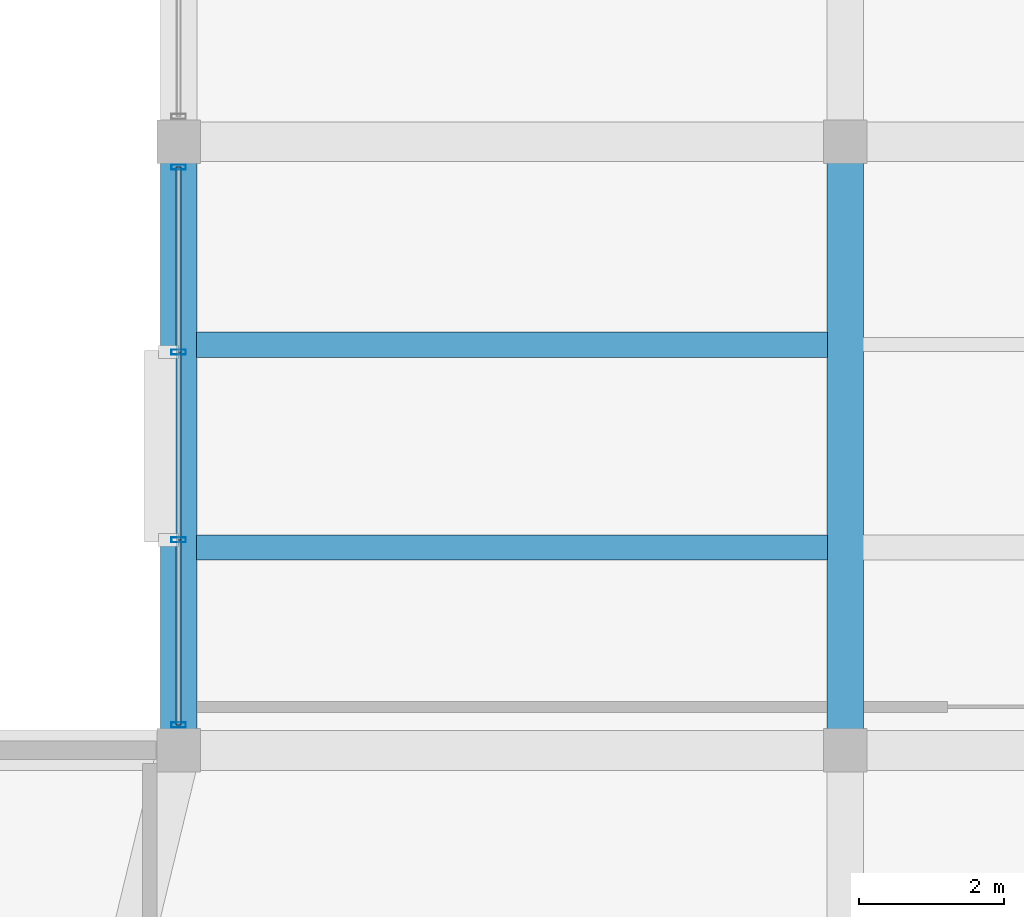
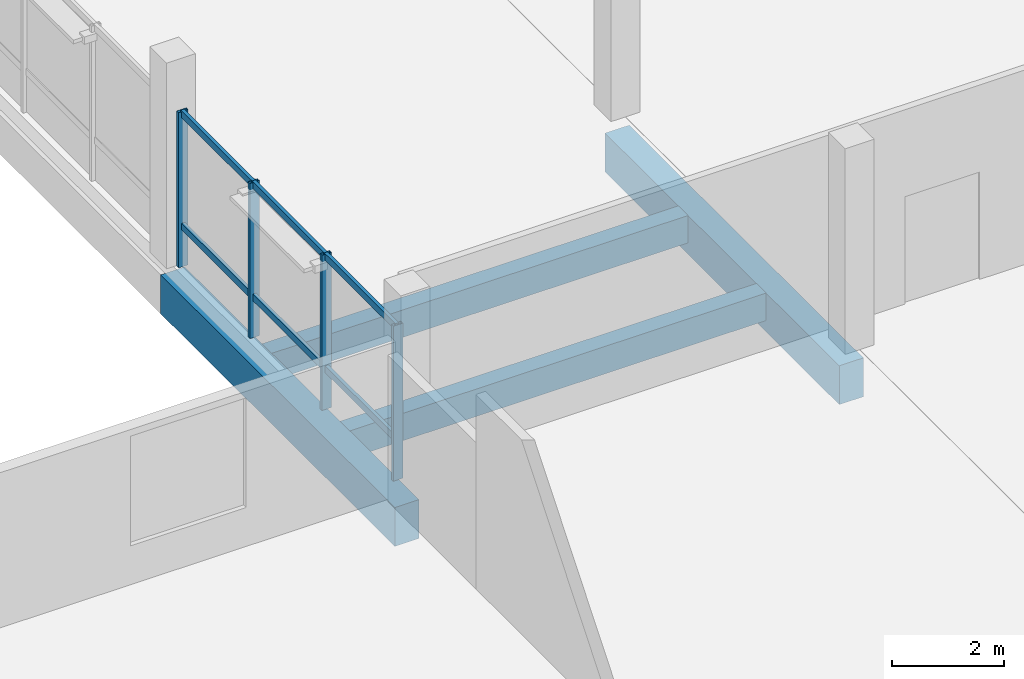
# One storey, part 43 of 77: 10 members, 4 beams, 1 element without a shape of its own.
"""IFC4 building model written with IfcOpenShell, lengths in metres."""

from ifc_helpers import new_model, si_unit, direction, frame, origin, origin_2d, place, context, subcontext, project, spatial, rectangle, hollow_rectangle, extrude, material, layer, layer_set, material_profile, profile_set, type_object, element, aggregate, save


model = new_model("IFC4")

# Units and contexts
model_context = context("Model", 3, precision=1e-05, world=origin(), true_north=direction((0.0, 1.0)))
body_context = subcontext(model_context, "Body", "Model", "MODEL_VIEW")
ifc_project = project(units=[si_unit("LENGTHUNIT", "METRE"), si_unit("AREAUNIT", "SQUARE_METRE"), si_unit("VOLUMEUNIT", "CUBIC_METRE"), si_unit("PLANEANGLEUNIT", "RADIAN"), si_unit("MASSUNIT", "GRAM", prefix="KILO")], contexts=[model_context])

# Site, building, storey
site_placement = place(None, origin())
site = spatial("IfcSite", under=ifc_project, at=site_placement, CompositionType="ELEMENT")
building_placement = place(site_placement, origin())
building = spatial("IfcBuilding", under=site, at=building_placement, Name="Meriwether Solvik Hall", CompositionType="ELEMENT")
storey_placement = place(building_placement, frame((0.0, 0.0, 9.89990234375)))
storey = spatial("IfcBuildingStorey", under=building, at=storey_placement, Name="L02", CompositionType="ELEMENT", Elevation=9.89990234375)

# Beams
ifc_material_1 = material(Name="Concrete C40/50", Category="concrete")
ifc_material_profile_1 = material_profile(ifc_material_1, rectangle(XDim=0.35009765625, YDim=0.60009765625, at=origin_2d()), Name="RCB-350X600")
ifc_profile_set_1 = profile_set([ifc_material_profile_1], Name="Concrete C40/50")
beam_type_1 = type_object("IfcBeamType", Name="BM-RC-350X600", PredefinedType="JOIST", material=ifc_profile_set_1)
for number, where, z_axis, x_axis, name in (
    (1, (105.2451171875, 95.60009765625, -0.75), (1.0, 0.0, 0.0), (0.0, 1.0, 0.0), "Secondary Floor Joist 12/K_J1 (L02)"),
    (2, (105.2451171875, 98.39990234375, -0.75), (1.0, 0.0, 0.0), (0.0, 1.0, 0.0), "Secondary Floor Joist 12/K_J2 (L02)"),
):
    element("IfcBeam", number, at=place(storey_placement, frame(where, z_axis=z_axis, x_axis=x_axis)), inside=storey, type_object=beam_type_1, Name=name, PredefinedType="JOIST", context=body_context, shape_type="SweptSolid", body=[
        extrude(rectangle(XDim=0.35009765625, YDim=0.60009765625, at=origin_2d()), origin(), (0.0, 0.0, 1.0), 8.7099609375),
    ])
ifc_material_2 = material(Name="Concrete C40/50", Category="concrete")
ifc_material_profile_2 = material_profile(ifc_material_2, rectangle(XDim=0.5, YDim=0.85009765625, at=origin_2d()), Name="RCB-500X850")
ifc_profile_set_2 = profile_set([ifc_material_profile_2], Name="Concrete C40/50")
beam_type_2 = type_object("IfcBeamType", Name="BM-RC-500X850", PredefinedType="BEAM", material=ifc_profile_set_2)
for number, where, z_axis, x_axis, name in (
    (3, (105.0, 92.800048828125, -0.7548828125), (0.0, 1.0, 0.0), (-1.0, 0.0, 0.0), "Podium Girder 12:K-L (L02)"),
    (4, (114.199951171875, 92.800048828125, -0.875), (0.0, 1.0, 0.0), (-1.0, 0.0, 0.0), "Podium Girder 13:K-L (L02)"),
):
    element("IfcBeam", number, at=place(storey_placement, frame(where, z_axis=z_axis, x_axis=x_axis)), inside=storey, type_object=beam_type_2, Name=name, PredefinedType="BEAM", context=body_context, shape_type="SweptSolid", body=[
        extrude(rectangle(XDim=0.5, YDim=0.85009765625, at=origin_2d()), origin(), (0.0, 0.0, 1.0), 8.39990234375),
    ])

# Curtain wall, members
ifc_material_3 = material(Name="Thermally Broken Anodised Aluminium 6063-T6 and Low-E Glass", Category="aluminium")
ifc_layer = layer(ifc_material_3, 0.179931640625)
ifc_layer_set = layer_set([ifc_layer], Name="Thermally Broken Anodised Aluminium 6063-T6 and Low-E Glass")
curtain_wall_type = type_object("IfcCurtainWallType", Name="CW-SF-POD-C", PredefinedType="USERDEFINED", material=ifc_layer_set)
curtain_wall_placement = place(storey_placement, origin())
curtain_wall = element("IfcCurtainWall", 5, at=curtain_wall_placement, inside=storey, type_object=curtain_wall_type, Name="Curtain Wall wing_Y12_11_34 (L02)", ObjectType="STICK STOREFRONT GLAZING", PredefinedType="USERDEFINED")
ifc_material_4 = material(Name="Anodised Aluminium 6063-T6", Category="aluminium")
ifc_material_profile_3 = material_profile(ifc_material_4, hollow_rectangle(XDim=0.070068359375, YDim=0.199951171875, WallThickness=0.0048828125, at=origin_2d()), Name="CWM-70X200")
ifc_profile_set_3 = profile_set([ifc_material_profile_3], Name="Anodised Aluminium 6063-T6")
member_type_1 = type_object("IfcMemberType", Name="CW-MUL-70X200", PredefinedType="MULLION", material=ifc_profile_set_3)
member_1_placement = place(storey_placement, frame((105.0, 93.14990234375, 0.0), z_axis=(0.0, 0.0, 1.0), x_axis=(0.0, 1.0, 0.0)))
member_1 = element("IfcMember", 6, at=member_1_placement, type_object=member_type_1, Name="Curtain Wall Mullion 1", PredefinedType="MULLION", context=body_context, shape_type="SweptSolid", body=[
    extrude(hollow_rectangle(XDim=0.070068359375, YDim=0.199951171875, WallThickness=0.0048828125, at=origin_2d()), origin(), (0.0, 0.0, 1.0), 3.39501953125),
])
member_2_placement = place(storey_placement, frame((105.0, 95.7041015625, 0.0), z_axis=(0.0, 0.0, 1.0), x_axis=(0.0, 1.0, 0.0)))
member_2 = element("IfcMember", 7, at=member_2_placement, type_object=member_type_1, Name="Curtain Wall Mullion 2", PredefinedType="MULLION", context=body_context, shape_type="SweptSolid", body=[
    extrude(hollow_rectangle(XDim=0.070068359375, YDim=0.199951171875, WallThickness=0.0048828125, at=origin_2d()), origin(), (0.0, 0.0, 1.0), 3.39501953125),
])
member_3_placement = place(storey_placement, frame((105.0, 98.2958984375, 0.0), z_axis=(0.0, 0.0, 1.0), x_axis=(0.0, 1.0, 0.0)))
member_3 = element("IfcMember", 8, at=member_3_placement, type_object=member_type_1, Name="Curtain Wall Mullion 3", PredefinedType="MULLION", context=body_context, shape_type="SweptSolid", body=[
    extrude(hollow_rectangle(XDim=0.070068359375, YDim=0.199951171875, WallThickness=0.0048828125, at=origin_2d()), origin(), (0.0, 0.0, 1.0), 3.39501953125),
])
member_4_placement = place(storey_placement, frame((105.0, 100.85009765625, 0.0), z_axis=(0.0, 0.0, 1.0), x_axis=(0.0, 1.0, 0.0)))
member_4 = element("IfcMember", 9, at=member_4_placement, type_object=member_type_1, Name="Curtain Wall Mullion 4", PredefinedType="MULLION", context=body_context, shape_type="SweptSolid", body=[
    extrude(hollow_rectangle(XDim=0.070068359375, YDim=0.199951171875, WallThickness=0.0048828125, at=origin_2d()), origin(), (0.0, 0.0, 1.0), 3.39501953125),
])
ifc_material_5 = material(Name="Anodised Aluminium 6063-T6", Category="aluminium")
ifc_material_profile_4 = material_profile(ifc_material_5, hollow_rectangle(XDim=0.070068359375, YDim=0.14990234375, WallThickness=0.0048828125, at=origin_2d()), Name="CWT-70X150")
ifc_profile_set_4 = profile_set([ifc_material_profile_4], Name="Anodised Aluminium 6063-T6")
member_type_2 = type_object("IfcMemberType", Name="CW-TRN-70X150", PredefinedType="USERDEFINED", material=ifc_profile_set_4)
member_5_placement = place(storey_placement, frame((105.0, 93.14990234375, 0.880126953125), z_axis=(0.0, 1.0, 0.0), x_axis=(-1.0, 0.0, 0.0)))
member_5 = element("IfcMember", 10, at=member_5_placement, type_object=member_type_2, Name="Curtain Wall Transom 1-sill", ObjectType="TRANSOM", PredefinedType="USERDEFINED", context=body_context, shape_type="SweptSolid", body=[
    extrude(hollow_rectangle(XDim=0.070068359375, YDim=0.14990234375, WallThickness=0.0048828125, at=origin_2d()), origin(), (0.0, 0.0, 1.0), 2.55419921875),
])
member_6_placement = place(storey_placement, frame((105.0, 93.14990234375, 3.335205078125), z_axis=(0.0, 1.0, 0.0), x_axis=(-1.0, 0.0, 0.0)))
member_6 = element("IfcMember", 11, at=member_6_placement, type_object=member_type_2, Name="Curtain Wall Transom 1-head", ObjectType="TRANSOM", PredefinedType="USERDEFINED", context=body_context, shape_type="SweptSolid", body=[
    extrude(hollow_rectangle(XDim=0.070068359375, YDim=0.14990234375, WallThickness=0.0048828125, at=origin_2d()), origin(), (0.0, 0.0, 1.0), 2.55419921875),
])
member_7_placement = place(storey_placement, frame((105.0, 95.7041015625, 0.880126953125), z_axis=(0.0, 1.0, 0.0), x_axis=(-1.0, 0.0, 0.0)))
member_7 = element("IfcMember", 12, at=member_7_placement, type_object=member_type_2, Name="Curtain Wall Transom 2-sill", ObjectType="TRANSOM", PredefinedType="USERDEFINED", context=body_context, shape_type="SweptSolid", body=[
    extrude(hollow_rectangle(XDim=0.070068359375, YDim=0.14990234375, WallThickness=0.0048828125, at=origin_2d()), origin(), (0.0, 0.0, 1.0), 2.591796875),
])
member_8_placement = place(storey_placement, frame((105.0, 95.7041015625, 3.335205078125), z_axis=(0.0, 1.0, 0.0), x_axis=(-1.0, 0.0, 0.0)))
member_8 = element("IfcMember", 13, at=member_8_placement, type_object=member_type_2, Name="Curtain Wall Transom 2-head", ObjectType="TRANSOM", PredefinedType="USERDEFINED", context=body_context, shape_type="SweptSolid", body=[
    extrude(hollow_rectangle(XDim=0.070068359375, YDim=0.14990234375, WallThickness=0.0048828125, at=origin_2d()), origin(), (0.0, 0.0, 1.0), 2.591796875),
])
member_9_placement = place(storey_placement, frame((105.0, 98.2958984375, 0.880126953125), z_axis=(0.0, 1.0, 0.0), x_axis=(-1.0, 0.0, 0.0)))
member_9 = element("IfcMember", 14, at=member_9_placement, type_object=member_type_2, Name="Curtain Wall Transom 3-sill", ObjectType="TRANSOM", PredefinedType="USERDEFINED", context=body_context, shape_type="SweptSolid", body=[
    extrude(hollow_rectangle(XDim=0.070068359375, YDim=0.14990234375, WallThickness=0.0048828125, at=origin_2d()), origin(), (0.0, 0.0, 1.0), 2.55419921875),
])
member_10_placement = place(storey_placement, frame((105.0, 98.2958984375, 3.335205078125), z_axis=(0.0, 1.0, 0.0), x_axis=(-1.0, 0.0, 0.0)))
member_10 = element("IfcMember", 15, at=member_10_placement, type_object=member_type_2, Name="Curtain Wall Transom 3-head", ObjectType="TRANSOM", PredefinedType="USERDEFINED", context=body_context, shape_type="SweptSolid", body=[
    extrude(hollow_rectangle(XDim=0.070068359375, YDim=0.14990234375, WallThickness=0.0048828125, at=origin_2d()), origin(), (0.0, 0.0, 1.0), 2.55419921875),
])
aggregate(curtain_wall, [member_1, member_2, member_3, member_4, member_5, member_6, member_7, member_8, member_9, member_10])

save(model, "model.ifc")
